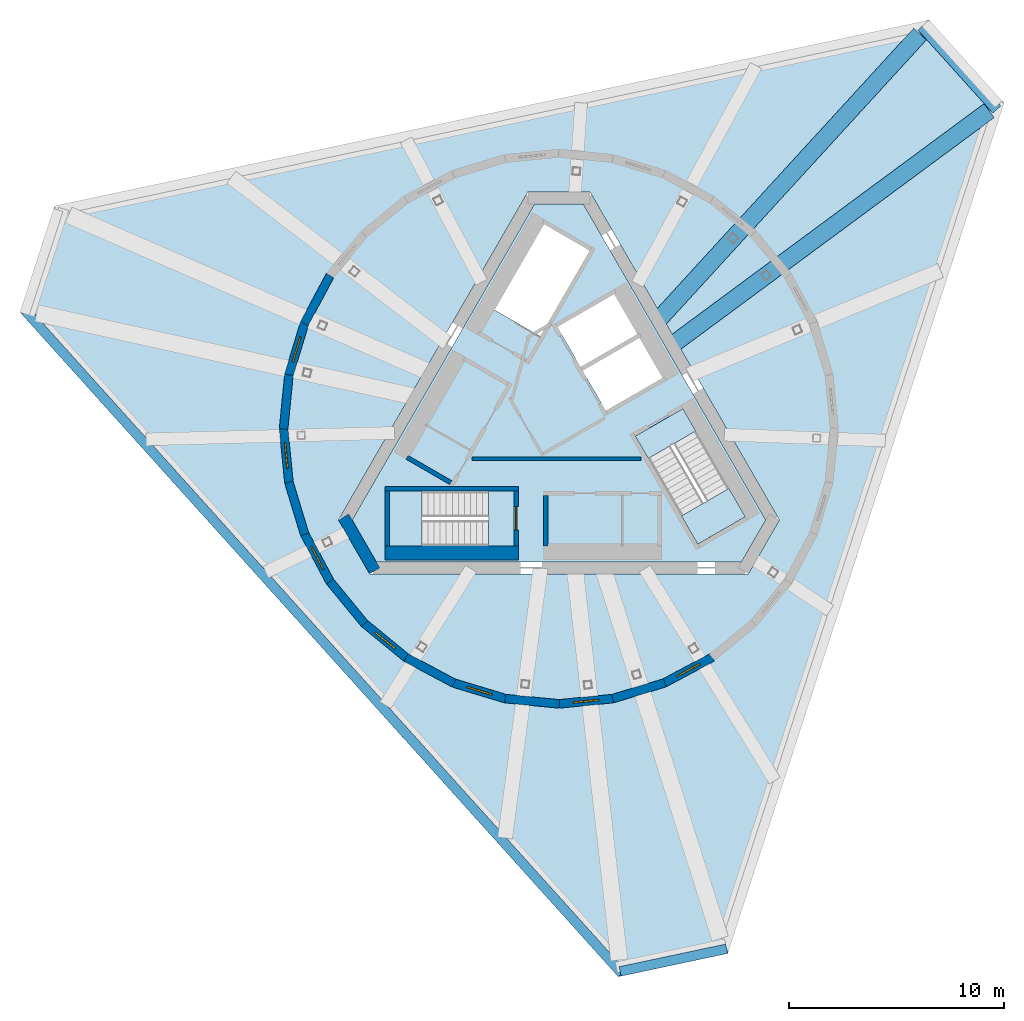
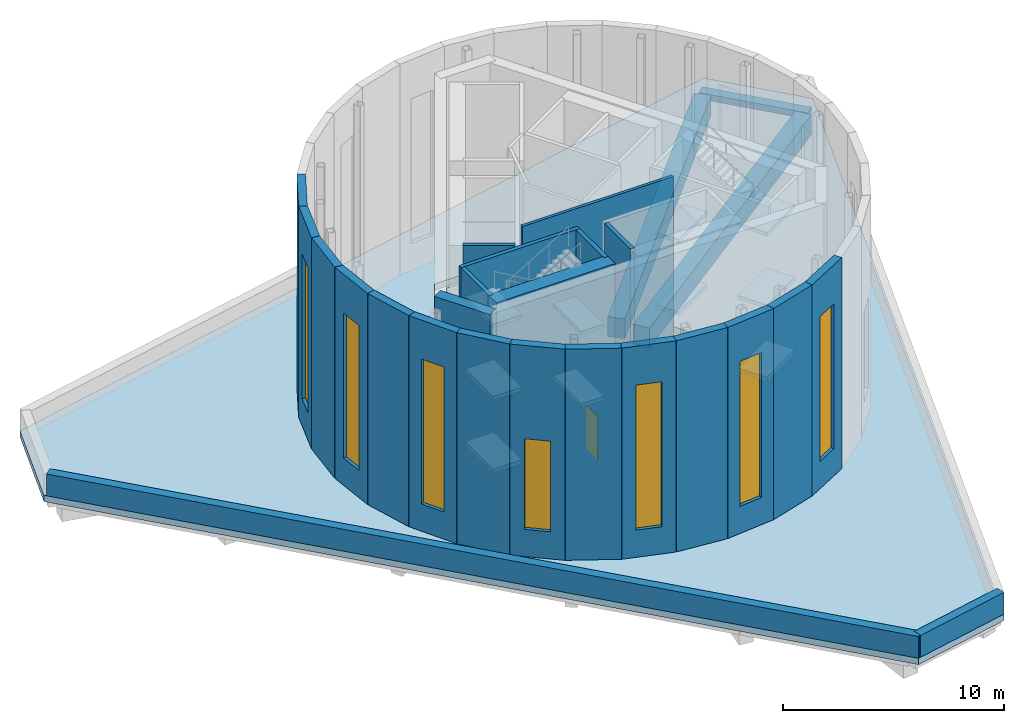
# One storey, part 5 of 9: 24 walls, 12 slabs, 7 windows, 3 beams, 1 door, 8 openings, 2 elements without a shape of their own.
"""IFC4 building model written with IfcOpenShell, lengths in metres."""

from ifc_helpers import new_model, si_unit, direction, frame, frame_2d, origin, origin_2d, place, context, subcontext, project, spatial, polyline, rectangle, outline, extrude, material, layer, layer_set, material_profile, profile_set, type_object, element, fill, aggregate, save


model = new_model("IFC4")

# Units and contexts
model_context = context("Model", 3, precision=1e-05, world=origin(), true_north=direction((0.0, 1.0)))
body_context = subcontext(model_context, "Body", "Model", "MODEL_VIEW")
ifc_project = project(units=[si_unit("LENGTHUNIT", "METRE"), si_unit("AREAUNIT", "SQUARE_METRE"), si_unit("VOLUMEUNIT", "CUBIC_METRE"), si_unit("PLANEANGLEUNIT", "RADIAN"), si_unit("MASSUNIT", "GRAM", prefix="KILO")], contexts=[model_context])

# Site, building, storey
site_placement = place(None, origin())
site = spatial("IfcSite", under=ifc_project, at=site_placement, CompositionType="ELEMENT")
building_placement = place(site_placement, origin())
building = spatial("IfcBuilding", under=site, at=building_placement, Name="Tramontana Tower", CompositionType="ELEMENT")
storey_placement = place(building_placement, frame((0.0, 0.0, 380.89990234375)))
storey = spatial("IfcBuildingStorey", under=building, at=storey_placement, Name="Crown", CompositionType="ELEMENT", Elevation=380.89990234375)

# Beams
ifc_material_1 = material(Name="Concrete 40 MPa", Category="concrete")
ifc_material_profile_1 = material_profile(ifc_material_1, rectangle(XDim=0.5, YDim=0.35009765625, at=origin_2d()), Name="RC EDGE BEAM 500X350 40 MPa")
ifc_profile_set_1 = profile_set([ifc_material_profile_1], Name="Concrete 40 MPa")
beam_type_1 = type_object("IfcBeamType", Name="RC EDGE BEAM 500X350 40 MPa", PredefinedType="SPANDREL", material=ifc_profile_set_1)
beam_1_placement = place(storey_placement, frame((20.354248046875, 14.8310546875, -0.52490234375), z_axis=(-0.66916199362, 0.74311656306, 0.0), x_axis=(-0.74311656306, -0.66916199362, 0.0)))
element("IfcBeam", 1, at=beam_1_placement, inside=storey, type_object=beam_type_1, Name="Spandrel beam K2 Crown", PredefinedType="SPANDREL", context=body_context, shape_type="SweptSolid", body=[
    extrude(rectangle(XDim=0.5, YDim=0.35009765625, at=origin_2d()), origin(), (0.0, 0.0, 1.0), 5.196044921875),
])
ifc_material_2 = material(Name="Concrete 40 MPa", Category="concrete")
ifc_material_profile_2 = material_profile(ifc_material_2, rectangle(XDim=0.800048828125, YDim=1.10009765625, at=origin_2d()), Name="RC GIRDER 800X1100 40 MPa")
ifc_profile_set_2 = profile_set([ifc_material_profile_2], Name="Concrete 40 MPa")
beam_type_2 = type_object("IfcBeamType", Name="RC GIRDER 800X1100 40 MPa", PredefinedType="BEAM", material=ifc_profile_set_2)
beam_2_placement = place(storey_placement, frame((19.99560546875, 14.779052734375, -0.89990234375), z_axis=(-0.804178630494, -0.594387693562, 0.0), x_axis=(0.594387693562, -0.804178630494, 0.0)))
element("IfcBeam", 2, at=beam_2_placement, inside=storey, type_object=beam_type_2, Name="Radial girder C8K4 Crown", PredefinedType="BEAM", context=body_context, shape_type="SweptSolid", body=[
    extrude(rectangle(XDim=0.800048828125, YDim=1.10009765625, at=origin_2d()), origin(), (0.0, 0.0, 1.0), 18.34619140625),
])
beam_3_placement = place(storey_placement, frame((16.7880859375, 18.34130859375, -0.89990234375), z_axis=(-0.675183941423, -0.737649405371, 0.0), x_axis=(0.737649405371, -0.675183941423, 0.0)))
element("IfcBeam", 3, at=beam_3_placement, inside=storey, type_object=beam_type_2, Name="Radial girder C8K5 Crown", PredefinedType="BEAM", context=body_context, shape_type="SweptSolid", body=[
    extrude(rectangle(XDim=0.800048828125, YDim=1.10009765625, at=origin_2d()), origin(), (0.0, 0.0, 1.0), 18.060791015625),
])

# Slabs
ifc_material_3 = material(Name="Concrete 40 MPa", Category="concrete")
ifc_layer_1 = layer(ifc_material_3, 0.35009765625)
ifc_layer_set_1 = layer_set([ifc_layer_1], Name="PT FLAT SLAB 350 40 MPa")
slab_type_1 = type_object("IfcSlabType", Name="PT FLAT SLAB 350 40 MPa", PredefinedType="FLOOR", material=ifc_layer_set_1)
slab_1_placement = place(storey_placement, frame((0.0, 0.0, -0.349853515625)))
element("IfcSlab", 4, at=slab_1_placement, inside=storey, type_object=slab_type_1, Name="Floor slab Crown", PredefinedType="FLOOR", context=body_context, shape_type="SweptSolid", body=[
    extrude(outline(polyline([(20.688720703125, 15.132080078125), (7.843017578125, -24.402587890625), (2.760498046875, -25.48291015625), (-25.0546875, 5.408935546875), (-23.44921875, 10.350830078125), (17.211669921875, 18.99365234375), (20.688720703125, 15.132080078125)]), holes=[polyline([(-10.248046875, -4.25), (-8.8046875, -6.75), (8.8046875, -6.75), (10.248046875, -4.25), (1.443359375, 11.0), (-1.443359375, 11.0), (-10.248046875, -4.25)])]), origin(), (0.0, 0.0, 1.0), 0.349853515625),
])
slab_2_placement = place(storey_placement, frame((0.0, 0.0, -0.349853515625)))
element("IfcSlab", 5, at=slab_2_placement, inside=storey, type_object=slab_type_1, Name="Core floor slab Crown", PredefinedType="FLOOR", context=body_context, shape_type="SweptSolid", body=[
    extrude(outline(polyline([(9.61279296875, -4.25), (8.487060546875, -6.199951171875), (-8.487060546875, -6.199951171875), (-9.61279296875, -4.25), (-1.125732421875, 10.449951171875), (1.125732421875, 10.449951171875), (9.61279296875, -4.25)]), holes=[polyline([(6.35986328125, -0.115478515625), (4.151611328125, -1.390625), (6.451416015625, -5.374267578125), (8.659912109375, -4.099365234375), (6.35986328125, -0.115478515625)]), polyline([(1.101806640625, 2.69140625), (2.177001953125, 0.82958984375), (4.90478515625, 2.404541015625), (3.829833984375, 4.2666015625), (1.101806640625, 2.69140625)]), polyline([(2.65478515625, 6.3017578125), (-0.072998046875, 4.726806640625), (1.001953125, 2.86474609375), (3.729736328125, 4.439697265625), (2.65478515625, 6.3017578125)]), polyline([(-0.77978515625, 9.54931640625), (-3.079833984375, 5.565673828125), (-0.87158203125, 4.29052734375), (1.428466796875, 8.2744140625), (-0.77978515625, 9.54931640625)]), polyline([(-3.280029296875, -5.449951171875), (-3.280029296875, -2.89990234375), (-7.8798828125, -2.89990234375), (-7.8798828125, -5.449951171875), (-3.280029296875, -5.449951171875)])]), origin(), (0.0, 0.0, 1.0), 0.349853515625),
])

# Stair, slabs
ifc_material_4 = material(Name="Concrete 40 MPa", Category="concrete")
stair_type = type_object("IfcStairType", Name="EXIT STAIR 72 RISERS", PredefinedType="HALF_TURN_STAIR", material=ifc_material_4)
stair_1_placement = place(storey_placement, origin())
stair_1 = element("IfcStair", 6, at=stair_1_placement, inside=storey, type_object=stair_type, Name="Crown Exit stair ST2", PredefinedType="HALF_TURN_STAIR")
ifc_material_5 = material(Name="Concrete 40 MPa", Category="concrete")
ifc_layer_2 = layer(ifc_material_5, 0.199951171875)
ifc_layer_set_2 = layer_set([ifc_layer_2], Name="STAIR LANDING 200")
slab_type_2 = type_object("IfcSlabType", Name="STAIR LANDING 200", PredefinedType="LANDING", material=ifc_layer_set_2)
slab_3_placement = place(storey_placement, frame((0.0, 0.0, 1.800048828125)))
slab_3 = element("IfcSlab", 7, at=slab_3_placement, type_object=slab_type_2, Name="ST2 landing 1", PredefinedType="LANDING", context=body_context, shape_type="SweptSolid", body=[
    extrude(outline(polyline([(-6.360107421875, -2.89990234375), (-7.8798828125, -2.89990234375), (-7.8798828125, -5.449951171875), (-6.360107421875, -5.449951171875), (-6.360107421875, -2.89990234375)])), origin(), (0.0, 0.0, 1.0), 0.199951171875),
])
slab_4_placement = place(storey_placement, frame((0.0, 0.0, 3.800048828125)))
slab_4 = element("IfcSlab", 8, at=slab_4_placement, type_object=slab_type_2, Name="ST2 landing 2", PredefinedType="LANDING", context=body_context, shape_type="SweptSolid", body=[
    extrude(outline(polyline([(-2.080078125, -2.89990234375), (-3.280029296875, -2.89990234375), (-3.280029296875, -5.449951171875), (-2.080078125, -5.449951171875), (-2.080078125, -2.89990234375)])), origin(), (0.0, 0.0, 1.0), 0.199951171875),
])
slab_5_placement = place(storey_placement, frame((0.0, 0.0, 5.800048828125)))
slab_5 = element("IfcSlab", 9, at=slab_5_placement, type_object=slab_type_2, Name="ST2 landing 3", PredefinedType="LANDING", context=body_context, shape_type="SweptSolid", body=[
    extrude(outline(polyline([(-6.360107421875, -2.89990234375), (-7.8798828125, -2.89990234375), (-7.8798828125, -5.449951171875), (-6.360107421875, -5.449951171875), (-6.360107421875, -2.89990234375)])), origin(), (0.0, 0.0, 1.0), 0.199951171875),
])
slab_6_placement = place(storey_placement, frame((0.0, 0.0, 7.800048828125)))
slab_6 = element("IfcSlab", 10, at=slab_6_placement, type_object=slab_type_2, Name="ST2 landing 4", PredefinedType="LANDING", context=body_context, shape_type="SweptSolid", body=[
    extrude(outline(polyline([(-2.080078125, -2.89990234375), (-3.280029296875, -2.89990234375), (-3.280029296875, -5.449951171875), (-2.080078125, -5.449951171875), (-2.080078125, -2.89990234375)])), origin(), (0.0, 0.0, 1.0), 0.199951171875),
])
slab_7_placement = place(storey_placement, frame((0.0, 0.0, 9.800048828125)))
slab_7 = element("IfcSlab", 11, at=slab_7_placement, type_object=slab_type_2, Name="ST2 landing 5", PredefinedType="LANDING", context=body_context, shape_type="SweptSolid", body=[
    extrude(outline(polyline([(-6.360107421875, -2.89990234375), (-7.8798828125, -2.89990234375), (-7.8798828125, -5.449951171875), (-6.360107421875, -5.449951171875), (-6.360107421875, -2.89990234375)])), origin(), (0.0, 0.0, 1.0), 0.199951171875),
])
aggregate(stair_1, [slab_3, slab_4, slab_5, slab_6, slab_7])

stair_2_placement = place(storey_placement, origin())
stair_2 = element("IfcStair", 12, at=stair_2_placement, inside=storey, type_object=stair_type, Name="Crown Exit stair ST3", PredefinedType="HALF_TURN_STAIR")
slab_8_placement = place(storey_placement, frame((0.0, 0.0, 1.800048828125)))
slab_8 = element("IfcSlab", 13, at=slab_8_placement, type_object=slab_type_2, Name="ST3 landing 1", PredefinedType="LANDING", context=body_context, shape_type="SweptSolid", body=[
    extrude(outline(polyline([(5.69140625, -4.057861328125), (6.451416015625, -5.374267578125), (8.659912109375, -4.099365234375), (7.89990234375, -2.782958984375), (5.69140625, -4.057861328125)])), origin(), (0.0, 0.0, 1.0), 0.199951171875),
])
slab_9_placement = place(storey_placement, frame((0.0, 0.0, 3.800048828125)))
slab_9 = element("IfcSlab", 14, at=slab_9_placement, type_object=slab_type_2, Name="ST3 landing 2", PredefinedType="LANDING", context=body_context, shape_type="SweptSolid", body=[
    extrude(outline(polyline([(3.551513671875, -0.351318359375), (4.1513671875, -1.390625), (6.35986328125, -0.115478515625), (5.759765625, 0.923583984375), (3.551513671875, -0.351318359375)])), origin(), (0.0, 0.0, 1.0), 0.199951171875),
])
slab_10_placement = place(storey_placement, frame((0.0, 0.0, 5.800048828125)))
slab_10 = element("IfcSlab", 15, at=slab_10_placement, type_object=slab_type_2, Name="ST3 landing 3", PredefinedType="LANDING", context=body_context, shape_type="SweptSolid", body=[
    extrude(outline(polyline([(5.69140625, -4.057861328125), (6.451416015625, -5.374267578125), (8.659912109375, -4.099365234375), (7.89990234375, -2.782958984375), (5.69140625, -4.057861328125)])), origin(), (0.0, 0.0, 1.0), 0.199951171875),
])
slab_11_placement = place(storey_placement, frame((0.0, 0.0, 7.800048828125)))
slab_11 = element("IfcSlab", 16, at=slab_11_placement, type_object=slab_type_2, Name="ST3 landing 4", PredefinedType="LANDING", context=body_context, shape_type="SweptSolid", body=[
    extrude(outline(polyline([(3.551513671875, -0.351318359375), (4.1513671875, -1.390625), (6.35986328125, -0.115478515625), (5.759765625, 0.923583984375), (3.551513671875, -0.351318359375)])), origin(), (0.0, 0.0, 1.0), 0.199951171875),
])
slab_12_placement = place(storey_placement, frame((0.0, 0.0, 9.800048828125)))
slab_12 = element("IfcSlab", 17, at=slab_12_placement, type_object=slab_type_2, Name="ST3 landing 5", PredefinedType="LANDING", context=body_context, shape_type="SweptSolid", body=[
    extrude(outline(polyline([(5.69140625, -4.057861328125), (6.451416015625, -5.374267578125), (8.659912109375, -4.099365234375), (7.89990234375, -2.782958984375), (5.69140625, -4.057861328125)])), origin(), (0.0, 0.0, 1.0), 0.199951171875),
])
aggregate(stair_2, [slab_8, slab_9, slab_10, slab_11, slab_12])

# Walls
ifc_material_6 = material(Name="Concrete 70 MPa", Category="concrete")
ifc_layer_3 = layer(ifc_material_6, 0.550048828125)
ifc_layer_set_3 = layer_set([ifc_layer_3], Name="Core wall 550 70 MPa")
wall_type_1 = type_object("IfcWallType", Name="Core wall 550 70 MPa", PredefinedType="SHEAR", material=ifc_layer_set_3)
wall_1_placement = place(storey_placement, frame((-10.009765625, -4.112548828125, 0.0), z_axis=(0.0, 0.0, 1.0), x_axis=(0.499995765644, -0.866027848477, 0.0)))
element("IfcWall", 18, at=wall_1_placement, inside=storey, type_object=wall_type_1, Name="Core wall C2 Crown", PredefinedType="SHEAR", context=body_context, shape_type="SweptSolid", body=[
    extrude(rectangle(XDim=2.88671875, YDim=0.550048828125, at=frame_2d((1.443359375, 0.0))), origin(), (0.0, 0.0, 1.0), 11.650146484375),
])
ifc_material_7 = material(Name="Precast concrete 60 MPa", Category="concrete")
ifc_layer_4 = layer(ifc_material_7, 0.39990234375)
ifc_layer_set_4 = layer_set([ifc_layer_4], Name="DW1 Plant drum wall 400")
wall_type_2 = type_object("IfcWallType", Name="DW1 Plant drum wall 400", PredefinedType="SOLIDWALL", material=ifc_layer_set_4)
wall_2_placement = place(storey_placement, frame((-10.642822265625, 7.111328125, 0.0), z_axis=(0.0, 0.0, 1.0), x_axis=(-0.47137468207, -0.881933052507, 0.0)))
element("IfcWall", 19, at=wall_2_placement, inside=storey, type_object=wall_type_2, Name="Plant drum wall 14", PredefinedType="SOLIDWALL", context=body_context, shape_type="SweptSolid", body=[
    extrude(rectangle(XDim=2.529052734375, YDim=0.39990234375, at=frame_2d((1.2646484375, 0.0))), origin(), (0.0, 0.0, 1.0), 11.650146484375),
])

# Wall, opening, window
wall_3_placement = place(storey_placement, frame((-11.82568359375, 4.8984375, 0.0), z_axis=(0.0, 0.0, 1.0), x_axis=(-0.290277987642, -0.956942364979, 0.0)))
wall_3 = element("IfcWall", 20, at=wall_3_placement, inside=storey, type_object=wall_type_2, Name="Plant drum wall 15", PredefinedType="SOLIDWALL", context=body_context, shape_type="SweptSolid", body=[
    extrude(rectangle(XDim=2.529052734375, YDim=0.39990234375, at=frame_2d((1.2646484375, 0.0))), origin(), (0.0, 0.0, 1.0), 11.650146484375),
])
opening_1_placement = place(wall_3_placement, frame((0.66455078125, 0.0, 1.5)))
opening_1 = element("IfcOpeningElement", 21, at=opening_1_placement, cuts=wall_3, Name="Opening LV3", PredefinedType="OPENING", context=body_context, shape_type="SweptSolid", body=[
    extrude(rectangle(XDim=1.199951171875, YDim=8.0, at=frame_2d((0.60009765625, 4.0))), frame((0.0, 0.2099609375, 0.0), z_axis=(0.0, -1.0, 0.0), x_axis=(1.0, 0.0, 0.0)), (0.0, 0.0, 1.0), 0.419921875),
])
ifc_material_8 = material(Name="Aluminum louvre blades", Category="aluminium")
window_type_1 = type_object("IfcWindowType", Name="LV3 Slot louvre 1.2 x 8", PartitioningType="SINGLE_PANEL", PredefinedType="WINDOW", material=ifc_material_8)
window_1_placement = place(opening_1_placement, origin())
window_1 = element("IfcWindow", 22, at=window_1_placement, inside=storey, type_object=window_type_1, Name="Plant drum louvre 8", OverallHeight=8.0, OverallWidth=1.199951171875, PartitioningType="SINGLE_PANEL", PredefinedType="WINDOW", context=body_context, shape_type="SweptSolid", body=[
    extrude(rectangle(XDim=1.199951171875, YDim=8.0, at=frame_2d((0.60009765625, 4.0))), frame((0.0, 0.030029296875, 0.0), z_axis=(0.0, -1.0, 0.0), x_axis=(1.0, 0.0, 0.0)), (0.0, 0.0, 1.0), 0.06005859375),
])
fill(opening_1, window_1)

# Wall
wall_4_placement = place(storey_placement, frame((-12.553955078125, 2.4970703125, 0.0), z_axis=(0.0, 0.0, 1.0), x_axis=(-0.098088911304, -0.995177655235, 0.0)))
element("IfcWall", 23, at=wall_4_placement, inside=storey, type_object=wall_type_2, Name="Plant drum wall 16", PredefinedType="SOLIDWALL", context=body_context, shape_type="SweptSolid", body=[
    extrude(rectangle(XDim=2.52880859375, YDim=0.39990234375, at=frame_2d((1.264404296875, 0.0))), origin(), (0.0, 0.0, 1.0), 11.650146484375),
])

# Wall, opening, window
wall_5_placement = place(storey_placement, frame((-12.800048828125, 0.0, 0.0), z_axis=(0.0, 0.0, 1.0), x_axis=(0.098079487956, -0.995178583995, 0.0)))
wall_5 = element("IfcWall", 24, at=wall_5_placement, inside=storey, type_object=wall_type_2, Name="Plant drum wall 17", PredefinedType="SOLIDWALL", context=body_context, shape_type="SweptSolid", body=[
    extrude(rectangle(XDim=2.529052734375, YDim=0.39990234375, at=frame_2d((1.2646484375, 0.0))), origin(), (0.0, 0.0, 1.0), 11.650146484375),
])
opening_2_placement = place(wall_5_placement, frame((0.66455078125, 0.0, 1.5)))
opening_2 = element("IfcOpeningElement", 25, at=opening_2_placement, cuts=wall_5, Name="Opening LV3", PredefinedType="OPENING", context=body_context, shape_type="SweptSolid", body=[
    extrude(rectangle(XDim=1.199951171875, YDim=8.0, at=frame_2d((0.60009765625, 4.0))), frame((0.0, 0.2099609375, 0.0), z_axis=(0.0, -1.0, 0.0), x_axis=(1.0, 0.0, 0.0)), (0.0, 0.0, 1.0), 0.419921875),
])
window_2_placement = place(opening_2_placement, origin())
window_2 = element("IfcWindow", 26, at=window_2_placement, inside=storey, type_object=window_type_1, Name="Plant drum louvre 9", OverallHeight=8.0, OverallWidth=1.199951171875, PartitioningType="SINGLE_PANEL", PredefinedType="WINDOW", context=body_context, shape_type="SweptSolid", body=[
    extrude(rectangle(XDim=1.199951171875, YDim=8.0, at=frame_2d((0.60009765625, 4.0))), frame((0.0, 0.030029296875, 0.0), z_axis=(0.0, -1.0, 0.0), x_axis=(1.0, 0.0, 0.0)), (0.0, 0.0, 1.0), 0.06005859375),
])
fill(opening_2, window_2)

# Wall
wall_6_placement = place(storey_placement, frame((-12.553955078125, -2.4970703125, 0.0), z_axis=(0.0, 0.0, 1.0), x_axis=(0.290277987642, -0.956942364979, 0.0)))
element("IfcWall", 27, at=wall_6_placement, inside=storey, type_object=wall_type_2, Name="Plant drum wall 18", PredefinedType="SOLIDWALL", context=body_context, shape_type="SweptSolid", body=[
    extrude(rectangle(XDim=2.529052734375, YDim=0.39990234375, at=frame_2d((1.2646484375, 0.0))), origin(), (0.0, 0.0, 1.0), 11.650146484375),
])

# Wall, opening, window
wall_7_placement = place(storey_placement, frame((-11.82568359375, -4.8984375, 0.0), z_axis=(0.0, 0.0, 1.0), x_axis=(0.47141481613, -0.881911600521, 0.0)))
wall_7 = element("IfcWall", 28, at=wall_7_placement, inside=storey, type_object=wall_type_2, Name="Plant drum wall 19", PredefinedType="SOLIDWALL", context=body_context, shape_type="SweptSolid", body=[
    extrude(rectangle(XDim=2.52880859375, YDim=0.39990234375, at=frame_2d((1.264404296875, 0.0))), origin(), (0.0, 0.0, 1.0), 11.650146484375),
])
opening_3_placement = place(wall_7_placement, frame((0.66455078125, 0.0, 1.5)))
opening_3 = element("IfcOpeningElement", 29, at=opening_3_placement, cuts=wall_7, Name="Opening LV3", PredefinedType="OPENING", context=body_context, shape_type="SweptSolid", body=[
    extrude(rectangle(XDim=1.199951171875, YDim=8.0, at=frame_2d((0.60009765625, 4.0))), frame((0.0, 0.2099609375, 0.0), z_axis=(0.0, -1.0, 0.0), x_axis=(1.0, 0.0, 0.0)), (0.0, 0.0, 1.0), 0.419921875),
])
window_3_placement = place(opening_3_placement, origin())
window_3 = element("IfcWindow", 30, at=window_3_placement, inside=storey, type_object=window_type_1, Name="Plant drum louvre 10", OverallHeight=8.0, OverallWidth=1.199951171875, PartitioningType="SINGLE_PANEL", PredefinedType="WINDOW", context=body_context, shape_type="SweptSolid", body=[
    extrude(rectangle(XDim=1.199951171875, YDim=8.0, at=frame_2d((0.60009765625, 4.0))), frame((0.0, 0.030029296875, 0.0), z_axis=(0.0, -1.0, 0.0), x_axis=(1.0, 0.0, 0.0)), (0.0, 0.0, 1.0), 0.06005859375),
])
fill(opening_3, window_3)

# Wall
wall_8_placement = place(storey_placement, frame((-10.642822265625, -7.111328125, 0.0), z_axis=(0.0, 0.0, 1.0), x_axis=(0.634383184074, -0.773018742182, 0.0)))
element("IfcWall", 31, at=wall_8_placement, inside=storey, type_object=wall_type_2, Name="Plant drum wall 20", PredefinedType="SOLIDWALL", context=body_context, shape_type="SweptSolid", body=[
    extrude(rectangle(XDim=2.52880859375, YDim=0.39990234375, at=frame_2d((1.264404296875, 0.0))), origin(), (0.0, 0.0, 1.0), 11.650146484375),
])

# Wall, opening, window
wall_9_placement = place(storey_placement, frame((-9.051025390625, -9.051025390625, 0.0), z_axis=(0.0, 0.0, 1.0), x_axis=(0.773018742182, -0.634383184074, 0.0)))
wall_9 = element("IfcWall", 32, at=wall_9_placement, inside=storey, type_object=wall_type_2, Name="Plant drum wall 21", PredefinedType="SOLIDWALL", context=body_context, shape_type="SweptSolid", body=[
    extrude(rectangle(XDim=2.52880859375, YDim=0.39990234375, at=frame_2d((1.264404296875, 0.0))), origin(), (0.0, 0.0, 1.0), 11.650146484375),
])
opening_4_placement = place(wall_9_placement, frame((0.66455078125, 0.0, 1.5)))
opening_4 = element("IfcOpeningElement", 33, at=opening_4_placement, cuts=wall_9, Name="Opening LV4", PredefinedType="OPENING", context=body_context, shape_type="SweptSolid", body=[
    extrude(rectangle(XDim=1.199951171875, YDim=5.0, at=frame_2d((0.60009765625, 2.5))), frame((0.0, 0.2099609375, 0.0), z_axis=(0.0, -1.0, 0.0), x_axis=(1.0, 0.0, 0.0)), (0.0, 0.0, 1.0), 0.419921875),
])
ifc_material_9 = material(Name="Aluminum louvre blades", Category="aluminium")
window_type_2 = type_object("IfcWindowType", Name="LV4 Slot louvre 1.2 x 5", PartitioningType="SINGLE_PANEL", PredefinedType="WINDOW", material=ifc_material_9)
window_4_placement = place(opening_4_placement, origin())
window_4 = element("IfcWindow", 34, at=window_4_placement, inside=storey, type_object=window_type_2, Name="Plant drum louvre 11", OverallHeight=5.0, OverallWidth=1.199951171875, PartitioningType="SINGLE_PANEL", PredefinedType="WINDOW", context=body_context, shape_type="SweptSolid", body=[
    extrude(rectangle(XDim=1.199951171875, YDim=5.0, at=frame_2d((0.60009765625, 2.5))), frame((0.0, 0.030029296875, 0.0), z_axis=(0.0, -1.0, 0.0), x_axis=(1.0, 0.0, 0.0)), (0.0, 0.0, 1.0), 0.06005859375),
])
fill(opening_4, window_4)

# Wall
wall_10_placement = place(storey_placement, frame((-7.111328125, -10.642822265625, 0.0), z_axis=(0.0, 0.0, 1.0), x_axis=(0.881933052507, -0.47137468207, 0.0)))
element("IfcWall", 35, at=wall_10_placement, inside=storey, type_object=wall_type_2, Name="Plant drum wall 22", PredefinedType="SOLIDWALL", context=body_context, shape_type="SweptSolid", body=[
    extrude(rectangle(XDim=2.529052734375, YDim=0.39990234375, at=frame_2d((1.2646484375, 0.0))), origin(), (0.0, 0.0, 1.0), 11.650146484375),
])

# Wall, opening, window
wall_11_placement = place(storey_placement, frame((-4.8984375, -11.82568359375, 0.0), z_axis=(0.0, 0.0, 1.0), x_axis=(0.956942364979, -0.290277987642, 0.0)))
wall_11 = element("IfcWall", 36, at=wall_11_placement, inside=storey, type_object=wall_type_2, Name="Plant drum wall 23", PredefinedType="SOLIDWALL", context=body_context, shape_type="SweptSolid", body=[
    extrude(rectangle(XDim=2.529052734375, YDim=0.39990234375, at=frame_2d((1.2646484375, 0.0))), origin(), (0.0, 0.0, 1.0), 11.650146484375),
])
opening_5_placement = place(wall_11_placement, frame((0.66455078125, 0.0, 1.5)))
opening_5 = element("IfcOpeningElement", 37, at=opening_5_placement, cuts=wall_11, Name="Opening LV3", PredefinedType="OPENING", context=body_context, shape_type="SweptSolid", body=[
    extrude(rectangle(XDim=1.199951171875, YDim=8.0, at=frame_2d((0.60009765625, 4.0))), frame((0.0, 0.2099609375, 0.0), z_axis=(0.0, -1.0, 0.0), x_axis=(1.0, 0.0, 0.0)), (0.0, 0.0, 1.0), 0.419921875),
])
window_5_placement = place(opening_5_placement, origin())
window_5 = element("IfcWindow", 38, at=window_5_placement, inside=storey, type_object=window_type_1, Name="Plant drum louvre 12", OverallHeight=8.0, OverallWidth=1.199951171875, PartitioningType="SINGLE_PANEL", PredefinedType="WINDOW", context=body_context, shape_type="SweptSolid", body=[
    extrude(rectangle(XDim=1.199951171875, YDim=8.0, at=frame_2d((0.60009765625, 4.0))), frame((0.0, 0.030029296875, 0.0), z_axis=(0.0, -1.0, 0.0), x_axis=(1.0, 0.0, 0.0)), (0.0, 0.0, 1.0), 0.06005859375),
])
fill(opening_5, window_5)

# Wall
wall_12_placement = place(storey_placement, frame((-2.4970703125, -12.553955078125, 0.0), z_axis=(0.0, 0.0, 1.0), x_axis=(0.995177655235, -0.098088911304, 0.0)))
element("IfcWall", 39, at=wall_12_placement, inside=storey, type_object=wall_type_2, Name="Plant drum wall 24", PredefinedType="SOLIDWALL", context=body_context, shape_type="SweptSolid", body=[
    extrude(rectangle(XDim=2.52880859375, YDim=0.39990234375, at=frame_2d((1.264404296875, 0.0))), origin(), (0.0, 0.0, 1.0), 11.650146484375),
])

# Wall, opening, window
wall_13_placement = place(storey_placement, frame((0.0, -12.800048828125, 0.0), z_axis=(0.0, 0.0, 1.0), x_axis=(0.995178583995, 0.098079487956, 0.0)))
wall_13 = element("IfcWall", 40, at=wall_13_placement, inside=storey, type_object=wall_type_2, Name="Plant drum wall 25", PredefinedType="SOLIDWALL", context=body_context, shape_type="SweptSolid", body=[
    extrude(rectangle(XDim=2.529052734375, YDim=0.39990234375, at=frame_2d((1.2646484375, 0.0))), origin(), (0.0, 0.0, 1.0), 11.650146484375),
])
opening_6_placement = place(wall_13_placement, frame((0.66455078125, 0.0, 1.5)))
opening_6 = element("IfcOpeningElement", 41, at=opening_6_placement, cuts=wall_13, Name="Opening LV3", PredefinedType="OPENING", context=body_context, shape_type="SweptSolid", body=[
    extrude(rectangle(XDim=1.199951171875, YDim=8.0, at=frame_2d((0.60009765625, 4.0))), frame((0.0, 0.2099609375, 0.0), z_axis=(0.0, -1.0, 0.0), x_axis=(1.0, 0.0, 0.0)), (0.0, 0.0, 1.0), 0.419921875),
])
window_6_placement = place(opening_6_placement, origin())
window_6 = element("IfcWindow", 42, at=window_6_placement, inside=storey, type_object=window_type_1, Name="Plant drum louvre 13", OverallHeight=8.0, OverallWidth=1.199951171875, PartitioningType="SINGLE_PANEL", PredefinedType="WINDOW", context=body_context, shape_type="SweptSolid", body=[
    extrude(rectangle(XDim=1.199951171875, YDim=8.0, at=frame_2d((0.60009765625, 4.0))), frame((0.0, 0.030029296875, 0.0), z_axis=(0.0, -1.0, 0.0), x_axis=(1.0, 0.0, 0.0)), (0.0, 0.0, 1.0), 0.06005859375),
])
fill(opening_6, window_6)

# Wall
wall_14_placement = place(storey_placement, frame((2.4970703125, -12.553955078125, 0.0), z_axis=(0.0, 0.0, 1.0), x_axis=(0.956942364979, 0.290277987642, 0.0)))
element("IfcWall", 43, at=wall_14_placement, inside=storey, type_object=wall_type_2, Name="Plant drum wall 26", PredefinedType="SOLIDWALL", context=body_context, shape_type="SweptSolid", body=[
    extrude(rectangle(XDim=2.529052734375, YDim=0.39990234375, at=frame_2d((1.2646484375, 0.0))), origin(), (0.0, 0.0, 1.0), 11.650146484375),
])

# Wall, opening, window
wall_15_placement = place(storey_placement, frame((4.8984375, -11.82568359375, 0.0), z_axis=(0.0, 0.0, 1.0), x_axis=(0.881911600521, 0.47141481613, 0.0)))
wall_15 = element("IfcWall", 44, at=wall_15_placement, inside=storey, type_object=wall_type_2, Name="Plant drum wall 27", PredefinedType="SOLIDWALL", context=body_context, shape_type="SweptSolid", body=[
    extrude(rectangle(XDim=2.52880859375, YDim=0.39990234375, at=frame_2d((1.264404296875, 0.0))), origin(), (0.0, 0.0, 1.0), 11.650146484375),
])
opening_7_placement = place(wall_15_placement, frame((0.66455078125, 0.0, 1.5)))
opening_7 = element("IfcOpeningElement", 45, at=opening_7_placement, cuts=wall_15, Name="Opening LV3", PredefinedType="OPENING", context=body_context, shape_type="SweptSolid", body=[
    extrude(rectangle(XDim=1.199951171875, YDim=8.0, at=frame_2d((0.60009765625, 4.0))), frame((0.0, 0.2099609375, 0.0), z_axis=(0.0, -1.0, 0.0), x_axis=(1.0, 0.0, 0.0)), (0.0, 0.0, 1.0), 0.419921875),
])
window_7_placement = place(opening_7_placement, origin())
window_7 = element("IfcWindow", 46, at=window_7_placement, inside=storey, type_object=window_type_1, Name="Plant drum louvre 14", OverallHeight=8.0, OverallWidth=1.199951171875, PartitioningType="SINGLE_PANEL", PredefinedType="WINDOW", context=body_context, shape_type="SweptSolid", body=[
    extrude(rectangle(XDim=1.199951171875, YDim=8.0, at=frame_2d((0.60009765625, 4.0))), frame((0.0, 0.030029296875, 0.0), z_axis=(0.0, -1.0, 0.0), x_axis=(1.0, 0.0, 0.0)), (0.0, 0.0, 1.0), 0.06005859375),
])
fill(opening_7, window_7)

# Walls
ifc_material_10 = material(Name="Precast concrete 60 MPa", Category="concrete")
ifc_layer_5 = layer(ifc_material_10, 0.449951171875)
ifc_layer_set_5 = layer_set([ifc_layer_5], Name="PA1 Crown parapet 450")
wall_type_3 = type_object("IfcWallType", Name="PA1 Crown parapet 450", PredefinedType="PARAPET", material=ifc_layer_set_5)
wall_16_placement = place(storey_placement, frame((-24.80078125, 5.463134765625, 0.0), z_axis=(0.0, 0.0, 1.0), x_axis=(0.669133322061, -0.74314238024, 0.0)))
element("IfcWall", 47, at=wall_16_placement, inside=storey, type_object=wall_type_3, Name="Crown parapet 1", PredefinedType="PARAPET", context=body_context, shape_type="SweptSolid", body=[
    extrude(rectangle(XDim=41.439453125, YDim=0.449951171875, at=frame_2d((20.7197265625, 0.0))), origin(), (0.0, 0.0, 1.0), 1.2001953125),
])
wall_17_placement = place(storey_placement, frame((2.8408203125, -25.23583984375, 0.0), z_axis=(0.0, 0.0, 1.0), x_axis=(0.978152236872, 0.207889878307, 0.0)))
element("IfcWall", 48, at=wall_17_placement, inside=storey, type_object=wall_type_3, Name="Crown parapet 2", PredefinedType="PARAPET", context=body_context, shape_type="SweptSolid", body=[
    extrude(rectangle(XDim=5.066162109375, YDim=0.449951171875, at=frame_2d((2.533203125, 0.0))), origin(), (0.0, 0.0, 1.0), 1.2001953125),
])
ifc_material_11 = material(Name="Gypsum board partition")
ifc_layer_6 = layer(ifc_material_11, 0.14990234375)
ifc_layer_set_6 = layer_set([ifc_layer_6], Name="PARTITION 150")
wall_type_4 = type_object("IfcWallType", Name="PARTITION 150", PredefinedType="PARTITIONING", material=ifc_layer_set_6)
wall_18_placement = place(storey_placement, frame((-4.053466796875, -1.39990234375, 0.0), z_axis=(0.0, 0.0, 1.0), x_axis=(1.0, 0.0, 0.0)))
element("IfcWall", 49, at=wall_18_placement, inside=storey, type_object=wall_type_4, Name="Wall hub-cut1", PredefinedType="PARTITIONING", context=body_context, shape_type="SweptSolid", body=[
    extrude(rectangle(XDim=7.8759765625, YDim=0.14990234375, at=frame_2d((3.93798828125, 0.0))), origin(), (0.0, 0.0, 1.0), 11.650146484375),
])
ifc_material_12 = material(Name="Concrete 70 MPa", Category="concrete")
ifc_layer_7 = layer(ifc_material_12, 0.75)
ifc_layer_set_7 = layer_set([ifc_layer_7], Name="Concrete 70 MPa, 750 mm")
wall_type_5 = type_object("IfcWallType", Name="RC SHAFT BACK WALL 750", PredefinedType="SOLIDWALL", material=ifc_layer_set_7)
wall_19_placement = place(storey_placement, frame((-8.080078125, -5.72509765625, 0.0), z_axis=(0.0, 0.0, 1.0), x_axis=(1.0, 0.0, 0.0)))
element("IfcWall", 50, at=wall_19_placement, inside=storey, type_object=wall_type_5, Name="Wall st2-back", PredefinedType="SOLIDWALL", context=body_context, shape_type="SweptSolid", body=[
    extrude(rectangle(XDim=6.2001953125, YDim=0.75, at=frame_2d((3.10009765625, 0.0))), origin(), (0.0, 0.0, 1.0), 11.650146484375),
])
ifc_material_13 = material(Name="Concrete 70 MPa", Category="concrete")
ifc_layer_8 = layer(ifc_material_13, 0.199951171875)
ifc_layer_set_8 = layer_set([ifc_layer_8], Name="Concrete 70 MPa, 200 mm")
wall_type_6 = type_object("IfcWallType", Name="RC STAIR AND SHAFT WALL 200", PredefinedType="SOLIDWALL", material=ifc_layer_set_8)
wall_20_placement = place(storey_placement, frame((-8.080078125, -2.800048828125, 0.0), z_axis=(0.0, 0.0, 1.0), x_axis=(1.0, 0.0, 0.0)))
element("IfcWall", 51, at=wall_20_placement, inside=storey, type_object=wall_type_6, Name="Wall st2-front", PredefinedType="SOLIDWALL", context=body_context, shape_type="SweptSolid", body=[
    extrude(rectangle(XDim=6.2001953125, YDim=0.199951171875, at=frame_2d((3.10009765625, 0.0))), origin(), (0.0, 0.0, 1.0), 11.650146484375),
])
wall_21_placement = place(storey_placement, frame((-7.97998046875, -2.89990234375, 0.0), z_axis=(0.0, 0.0, 1.0), x_axis=(0.0, -1.0, 0.0)))
element("IfcWall", 52, at=wall_21_placement, inside=storey, type_object=wall_type_6, Name="Wall st2-far", PredefinedType="SOLIDWALL", context=body_context, shape_type="SweptSolid", body=[
    extrude(rectangle(XDim=2.550048828125, YDim=0.199951171875, at=frame_2d((1.27490234375, 0.0))), origin(), (0.0, 0.0, 1.0), 11.650146484375),
])

# Wall, opening, door
wall_22_placement = place(storey_placement, frame((-1.97998046875, -2.89990234375, 0.0), z_axis=(0.0, 0.0, 1.0), x_axis=(0.0, -1.0, 0.0)))
wall_22 = element("IfcWall", 53, at=wall_22_placement, inside=storey, type_object=wall_type_6, Name="Wall st2-near", PredefinedType="SOLIDWALL", context=body_context, shape_type="SweptSolid", body=[
    extrude(rectangle(XDim=2.550048828125, YDim=0.199951171875, at=frame_2d((1.27490234375, 0.0))), origin(), (0.0, 0.0, 1.0), 11.650146484375),
])
opening_8_placement = place(wall_22_placement, frame((0.72509765625, 0.0, 0.0)))
opening_8 = element("IfcOpeningElement", 54, at=opening_8_placement, cuts=wall_22, Name="Opening SD2", PredefinedType="OPENING", context=body_context, shape_type="SweptSolid", body=[
    extrude(rectangle(XDim=1.10009765625, YDim=2.39990234375, at=frame_2d((0.550048828125, 1.199951171875))), frame((0.0, 0.10986328125, 0.0), z_axis=(0.0, -1.0, 0.0), x_axis=(1.0, 0.0, 0.0)), (0.0, 0.0, 1.0), 0.219970703125),
])
ifc_material_14 = material(Name="Painted steel", Category="steel")
door_type = type_object("IfcDoorType", Name="STAIR DOOR 1100", OperationType="SINGLE_SWING_LEFT", PredefinedType="DOOR", material=ifc_material_14)
door_placement = place(opening_8_placement, origin())
door = element("IfcDoor", 55, at=door_placement, inside=storey, type_object=door_type, Name="Door SD2", OperationType="SINGLE_SWING_LEFT", OverallHeight=2.39990234375, OverallWidth=1.10009765625, PredefinedType="DOOR", context=body_context, shape_type="SweptSolid", body=[
    extrude(rectangle(XDim=1.10009765625, YDim=2.39990234375, at=frame_2d((0.550048828125, 1.199951171875))), frame((0.0, 0.02490234375, 0.0), z_axis=(0.0, -1.0, 0.0), x_axis=(1.0, 0.0, 0.0)), (0.0, 0.0, 1.0), 0.050048828125),
])
fill(opening_8, door)

# Walls
wall_23_placement = place(storey_placement, frame((-5.02978515625, -2.51171875, 0.0), z_axis=(0.0, 0.0, 1.0), x_axis=(-0.866016039709, 0.500016218704, 0.0)))
element("IfcWall", 56, at=wall_23_placement, inside=storey, type_object=wall_type_6, Name="Wall row0-side2", PredefinedType="SOLIDWALL", context=body_context, shape_type="SweptSolid", body=[
    extrude(rectangle(XDim=2.35009765625, YDim=0.199951171875, at=frame_2d((1.175048828125, 0.0))), origin(), (0.0, 0.0, 1.0), 11.650146484375),
])
wall_24_placement = place(storey_placement, frame((-0.610107421875, -3.10009765625, 0.0), z_axis=(0.0, 0.0, 1.0), x_axis=(0.0, -1.0, 0.0)))
element("IfcWall", 57, at=wall_24_placement, inside=storey, type_object=wall_type_6, Name="Wall row1-side0", PredefinedType="SOLIDWALL", context=body_context, shape_type="SweptSolid", body=[
    extrude(rectangle(XDim=2.349853515625, YDim=0.199951171875, at=frame_2d((1.1748046875, 0.0))), origin(), (0.0, 0.0, 1.0), 11.650146484375),
])

save(model, "model.ifc")
